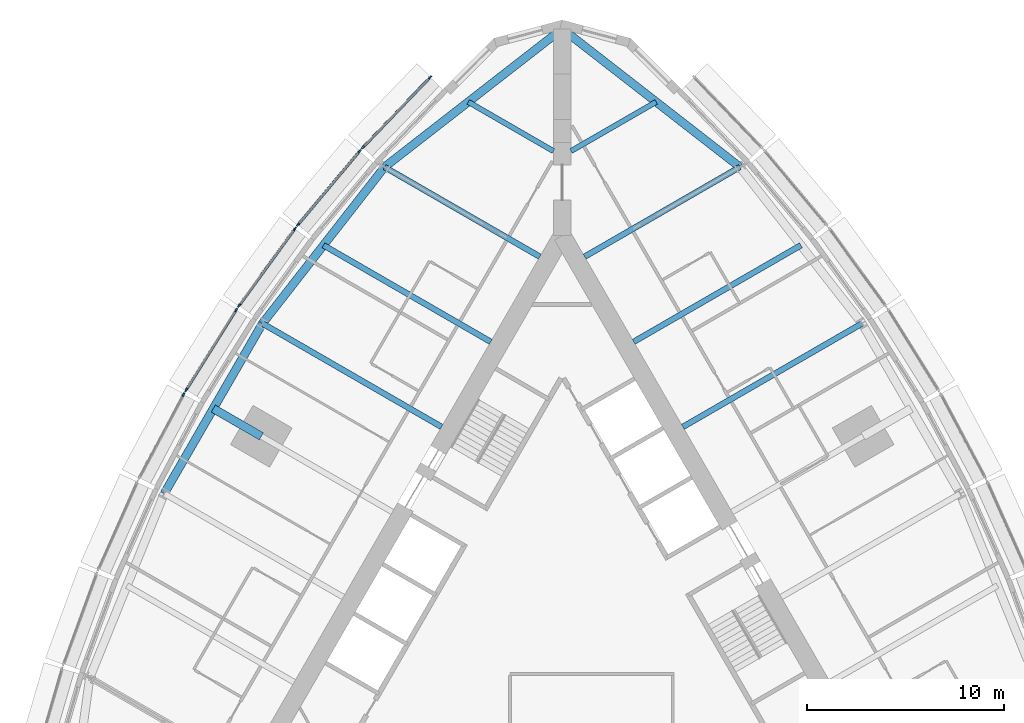
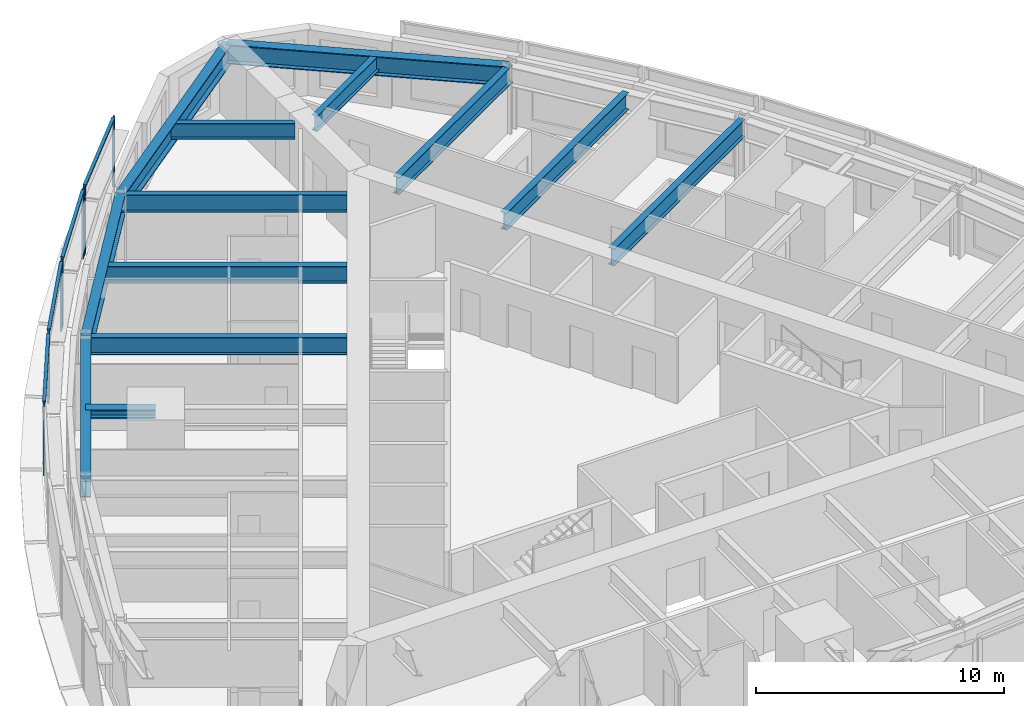
# One storey, part 4 of 14: 13 beams, 13 members, 5 elements without a shape of their own.
"""IFC4 building model written with IfcOpenShell, lengths in metres."""

from ifc_helpers import new_model, si_unit, direction, frame, origin, origin_2d, place, context, subcontext, project, spatial, rectangle, i_section, extrude, material, material_profile, profile_set, type_object, element, aggregate, save


model = new_model("IFC4")

# Units and contexts
model_context = context("Model", 3, precision=1e-05, world=origin(), true_north=direction((0.0, 1.0)))
body_context = subcontext(model_context, "Body", "Model", "MODEL_VIEW")
ifc_project = project(units=[si_unit("LENGTHUNIT", "METRE"), si_unit("AREAUNIT", "SQUARE_METRE"), si_unit("VOLUMEUNIT", "CUBIC_METRE"), si_unit("PLANEANGLEUNIT", "RADIAN"), si_unit("MASSUNIT", "GRAM", prefix="KILO")], contexts=[model_context])

# Site, building, storey
site_placement = place(None, origin())
site = spatial("IfcSite", under=ifc_project, at=site_placement, CompositionType="ELEMENT")
building_placement = place(site_placement, origin())
building = spatial("IfcBuilding", under=site, at=building_placement, Name="Trikona Tower", CompositionType="ELEMENT")
storey_placement = place(building_placement, frame((0.0, 0.0, 172.5)))
storey = spatial("IfcBuildingStorey", under=building, at=storey_placement, Name="L46", CompositionType="ELEMENT", Elevation=172.5)

# Curtain wall, members
ifc_material_1 = material(Name="Aluminium curtain wall system", Category="aluminium")
curtain_wall_type = type_object("IfcCurtainWallType", Name="Curtain wall DS2", PredefinedType="NOTDEFINED", material=ifc_material_1)
curtain_wall_1_placement = place(storey_placement, origin())
curtain_wall_1 = element("IfcCurtainWall", 1, at=curtain_wall_1_placement, inside=storey, type_object=curtain_wall_type, Name="Curtain wall DS2 L46", PredefinedType="NOTDEFINED")
ifc_material_2 = material(Name="Aluminium mullion, pale anodised", Category="aluminium")
ifc_material_profile_1 = material_profile(ifc_material_2, rectangle(XDim=0.080078125, YDim=0.199951171875, at=origin_2d()), Name="MUL-DS2")
ifc_profile_set_1 = profile_set([ifc_material_profile_1], Name="Aluminium mullion, pale anodised")
member_type_1 = type_object("IfcMemberType", Name="Mullion DS2 80x200", PredefinedType="MULLION", material=ifc_profile_set_1)
member_1_placement = place(storey_placement, frame((-6.718994140625, 27.1083984375, 0.0), z_axis=(0.0, 0.0, 1.0), x_axis=(0.722158330767, -0.691727797117, 0.0)))
member_1 = element("IfcMember", 2, at=member_1_placement, type_object=member_type_1, Name="CW-DS2 mullion 1", PredefinedType="MULLION", context=body_context, shape_type="SweptSolid", body=[
    extrude(rectangle(XDim=0.080078125, YDim=0.199951171875, at=origin_2d()), origin(), (0.0, 0.0, 1.0), 3.39990234375),
])
member_2_placement = place(storey_placement, frame((-10.1416015625, 23.535400390625, 0.0), z_axis=(0.0, 0.0, 1.0), x_axis=(0.722158330767, -0.691727797117, 0.0)))
member_2 = element("IfcMember", 3, at=member_2_placement, type_object=member_type_1, Name="CW-DS2 mullion 2", PredefinedType="MULLION", context=body_context, shape_type="SweptSolid", body=[
    extrude(rectangle(XDim=0.080078125, YDim=0.199951171875, at=origin_2d()), origin(), (0.0, 0.0, 1.0), 3.39990234375),
])

curtain_wall_2_placement = place(storey_placement, origin())
curtain_wall_2 = element("IfcCurtainWall", 4, at=curtain_wall_2_placement, inside=storey, type_object=curtain_wall_type, Name="Curtain wall DS2 L46", PredefinedType="NOTDEFINED")
member_3_placement = place(storey_placement, frame((-10.315185546875, 23.34130859375, 0.0), z_axis=(0.0, 0.0, 1.0), x_axis=(0.766866678271, -0.641806433248, 0.0)))
member_3 = element("IfcMember", 5, at=member_3_placement, type_object=member_type_1, Name="CW-DS2 mullion 1", PredefinedType="MULLION", context=body_context, shape_type="SweptSolid", body=[
    extrude(rectangle(XDim=0.080078125, YDim=0.199951171875, at=origin_2d()), origin(), (0.0, 0.0, 1.0), 3.39990234375),
])
member_4_placement = place(storey_placement, frame((-13.44482421875, 19.602294921875, 0.0), z_axis=(0.0, 0.0, 1.0), x_axis=(0.766866678271, -0.641806433248, 0.0)))
member_4 = element("IfcMember", 6, at=member_4_placement, type_object=member_type_1, Name="CW-DS2 mullion 2", PredefinedType="MULLION", context=body_context, shape_type="SweptSolid", body=[
    extrude(rectangle(XDim=0.080078125, YDim=0.199951171875, at=origin_2d()), origin(), (0.0, 0.0, 1.0), 3.39990234375),
])

curtain_wall_3_placement = place(storey_placement, origin())
curtain_wall_3 = element("IfcCurtainWall", 7, at=curtain_wall_3_placement, inside=storey, type_object=curtain_wall_type, Name="Curtain wall DS2 L46", PredefinedType="NOTDEFINED")
member_5_placement = place(storey_placement, frame((-13.605712890625, 19.39599609375, 0.0), z_axis=(0.0, 0.0, 1.0), x_axis=(0.80908576332, -0.587690588313, 0.0)))
member_5 = element("IfcMember", 8, at=member_5_placement, type_object=member_type_1, Name="CW-DS2 mullion 1", PredefinedType="MULLION", context=body_context, shape_type="SweptSolid", body=[
    extrude(rectangle(XDim=0.080078125, YDim=0.199951171875, at=origin_2d()), origin(), (0.0, 0.0, 1.0), 3.39990234375),
])
member_6_placement = place(storey_placement, frame((-16.442626953125, 15.489990234375, 0.0), z_axis=(0.0, 0.0, 1.0), x_axis=(0.80908576332, -0.587690588313, 0.0)))
member_6 = element("IfcMember", 9, at=member_6_placement, type_object=member_type_1, Name="CW-DS2 mullion 2", PredefinedType="MULLION", context=body_context, shape_type="SweptSolid", body=[
    extrude(rectangle(XDim=0.080078125, YDim=0.199951171875, at=origin_2d()), origin(), (0.0, 0.0, 1.0), 3.39990234375),
])

curtain_wall_4_placement = place(storey_placement, origin())
curtain_wall_4 = element("IfcCurtainWall", 10, at=curtain_wall_4_placement, inside=storey, type_object=curtain_wall_type, Name="Curtain wall DS2 L46", PredefinedType="NOTDEFINED")
member_7_placement = place(storey_placement, frame((-16.589599609375, 15.2724609375, 0.0), z_axis=(0.0, 0.0, 1.0), x_axis=(0.847998304006, -0.529998940002, 0.0)))
member_7 = element("IfcMember", 11, at=member_7_placement, type_object=member_type_1, Name="CW-DS2 mullion 1", PredefinedType="MULLION", context=body_context, shape_type="SweptSolid", body=[
    extrude(rectangle(XDim=0.080078125, YDim=0.199951171875, at=origin_2d()), origin(), (0.0, 0.0, 1.0), 3.39990234375),
])
member_8_placement = place(storey_placement, frame((-19.135009765625, 11.199462890625, 0.0), z_axis=(0.0, 0.0, 1.0), x_axis=(0.847998304006, -0.529998940002, 0.0)))
member_8 = element("IfcMember", 12, at=member_8_placement, type_object=member_type_1, Name="CW-DS2 mullion 2", PredefinedType="MULLION", context=body_context, shape_type="SweptSolid", body=[
    extrude(rectangle(XDim=0.080078125, YDim=0.199951171875, at=origin_2d()), origin(), (0.0, 0.0, 1.0), 3.39990234375),
])

# Curtain wall, member
curtain_wall_5_placement = place(storey_placement, origin())
curtain_wall_5 = element("IfcCurtainWall", 13, at=curtain_wall_5_placement, inside=storey, type_object=curtain_wall_type, Name="Curtain wall DS2 L46", PredefinedType="NOTDEFINED")
member_9_placement = place(storey_placement, frame((-19.2666015625, 10.9716796875, 0.0), z_axis=(0.0, 0.0, 1.0), x_axis=(0.882996107343, -0.469380308937, 0.0)))
member_9 = element("IfcMember", 14, at=member_9_placement, type_object=member_type_1, Name="CW-DS2 mullion 1", PredefinedType="MULLION", context=body_context, shape_type="SweptSolid", body=[
    extrude(rectangle(XDim=0.080078125, YDim=0.199951171875, at=origin_2d()), origin(), (0.0, 0.0, 1.0), 3.39990234375),
])
aggregate(curtain_wall_5, [member_9])

# Beams
ifc_material_3 = material(Name="Steel ASTM A992 Grade 50", Category="steel")
ifc_material_profile_2 = material_profile(ifc_material_3, i_section(OverallWidth=0.419189453125, OverallDepth=0.45458984375, WebThickness=0.042236328125, FlangeThickness=0.067626953125, at=origin_2d()), Name="W14X370")
ifc_profile_set_2 = profile_set([ifc_material_profile_2], Name="Steel ASTM A992 Grade 50")
beam_type_1 = type_object("IfcBeamType", Name="Steel beam W14x370 (apex bracket)", PredefinedType="BEAM", material=ifc_profile_set_2)
beam_1_placement = place(storey_placement, frame((-15.311767578125, 8.84033203125, 3.0078125), z_axis=(-0.86605005072, 0.499957307824, 0.0), x_axis=(-0.499957307824, -0.86605005072, 0.0)))
element("IfcBeam", 15, at=beam_1_placement, inside=storey, type_object=beam_type_1, Name="Cantilever bracket L47 F3", PredefinedType="BEAM", context=body_context, shape_type="SweptSolid", body=[
    extrude(i_section(OverallWidth=0.419189453125, OverallDepth=0.45458984375, WebThickness=0.042236328125, FlangeThickness=0.067626953125, at=origin_2d()), origin(), (0.0, 0.0, 1.0), 2.819580078125),
])
ifc_material_4 = material(Name="Steel ASTM A992 Grade 50", Category="steel")
ifc_material_profile_3 = material_profile(ifc_material_4, i_section(OverallWidth=0.2666015625, OverallDepth=0.76953125, WebThickness=0.015625, FlangeThickness=0.025390625, at=origin_2d()), Name="W30X132")
ifc_profile_set_3 = profile_set([ifc_material_profile_3], Name="Steel ASTM A992 Grade 50")
beam_type_2 = type_object("IfcBeamType", Name="Steel beam W30x132 (wedge)", PredefinedType="BEAM", material=ifc_profile_set_3)
for number, where, z_axis, x_axis, name in (
    (16, (0.449951171875, 23.353759765625, 2.85009765625), (0.866038434829, 0.49997742889, 0.0), (-0.49997742889, 0.866038434829, 0.0), "Floor beam L47 F2 u20"),
    (17, (-0.449951171875, 23.353759765625, 2.85009765625), (-0.866038434829, 0.49997742889, 0.0), (-0.49997742889, -0.866038434829, 0.0), "Floor beam L47 F3 u-20"),
):
    element("IfcBeam", number, at=place(storey_placement, frame(where, z_axis=z_axis, x_axis=x_axis)), inside=storey, type_object=beam_type_2, Name=name, PredefinedType="BEAM", context=body_context, shape_type="SweptSolid", body=[
        extrude(i_section(OverallWidth=0.2666015625, OverallDepth=0.76953125, WebThickness=0.015625, FlangeThickness=0.025390625, at=origin_2d()), origin(), (0.0, 0.0, 1.0), 5.000732421875),
    ])
ifc_material_5 = material(Name="Steel ASTM A992 Grade 50", Category="steel")
ifc_material_profile_4 = material_profile(ifc_material_5, i_section(OverallWidth=0.2919921875, OverallDepth=0.845703125, WebThickness=0.015380859375, FlangeThickness=0.0244140625, at=origin_2d()), Name="W33X141")
ifc_profile_set_4 = profile_set([ifc_material_profile_4], Name="Steel ASTM A992 Grade 50")
beam_type_3 = type_object("IfcBeamType", Name="Steel beam W33x141 (radial typ)", PredefinedType="BEAM", material=ifc_profile_set_4)
beam_2_placement = place(storey_placement, frame((6.1396484375, 9.318359375, 2.81201171875), z_axis=(0.866036080828, 0.499981506362, 0.0), x_axis=(-0.499981506362, 0.866036080828, 0.0)))
element("IfcBeam", 18, at=beam_2_placement, inside=storey, type_object=beam_type_3, Name="Floor beam L47 F2 u5", PredefinedType="BEAM", context=body_context, shape_type="SweptSolid", body=[
    extrude(i_section(OverallWidth=0.2919921875, OverallDepth=0.845703125, WebThickness=0.015380859375, FlangeThickness=0.0244140625, at=origin_2d()), origin(), (0.0, 0.0, 1.0), 10.52392578125),
])
beam_3_placement = place(storey_placement, frame((3.6396484375, 13.6484375, 2.81201171875), z_axis=(0.866030807744, 0.499990639951, 0.0), x_axis=(-0.499990639951, 0.866030807744, 0.0)))
element("IfcBeam", 19, at=beam_3_placement, inside=storey, type_object=beam_type_3, Name="Floor beam L47 F2 u10", PredefinedType="BEAM", context=body_context, shape_type="SweptSolid", body=[
    extrude(i_section(OverallWidth=0.2919921875, OverallDepth=0.845703125, WebThickness=0.015380859375, FlangeThickness=0.0244140625, at=origin_2d()), origin(), (0.0, 0.0, 1.0), 9.823974609375),
])
for number, where, z_axis, x_axis, name in (
    (20, (1.1396484375, 17.978515625, 2.81201171875), (0.866024725532, 0.500001174766, 0.0), (-0.500001174766, 0.866024725532, 0.0), "Floor beam L47 F2 u15"),
    (21, (-1.1396484375, 17.978515625, 2.81201171875), (-0.866024725532, 0.500001174766, 0.0), (-0.500001174766, -0.866024725532, 0.0), "Floor beam L47 F3 u-15"),
):
    element("IfcBeam", number, at=place(storey_placement, frame(where, z_axis=z_axis, x_axis=x_axis)), inside=storey, type_object=beam_type_3, Name=name, PredefinedType="BEAM", context=body_context, shape_type="SweptSolid", body=[
        extrude(i_section(OverallWidth=0.2919921875, OverallDepth=0.845703125, WebThickness=0.015380859375, FlangeThickness=0.0244140625, at=origin_2d()), origin(), (0.0, 0.0, 1.0), 9.1240234375),
    ])
beam_4_placement = place(storey_placement, frame((-3.6396484375, 13.6484375, 2.81201171875), z_axis=(-0.866030807744, 0.499990639951, 0.0), x_axis=(-0.499990639951, -0.866030807744, 0.0)))
element("IfcBeam", 22, at=beam_4_placement, inside=storey, type_object=beam_type_3, Name="Floor beam L47 F3 u-10", PredefinedType="BEAM", context=body_context, shape_type="SweptSolid", body=[
    extrude(i_section(OverallWidth=0.2919921875, OverallDepth=0.845703125, WebThickness=0.015380859375, FlangeThickness=0.0244140625, at=origin_2d()), origin(), (0.0, 0.0, 1.0), 9.823974609375),
])
beam_5_placement = place(storey_placement, frame((-6.1396484375, 9.318359375, 2.81201171875), z_axis=(-0.866036080828, 0.499981506362, 0.0), x_axis=(-0.499981506362, -0.866036080828, 0.0)))
element("IfcBeam", 23, at=beam_5_placement, inside=storey, type_object=beam_type_3, Name="Floor beam L47 F3 u-5", PredefinedType="BEAM", context=body_context, shape_type="SweptSolid", body=[
    extrude(i_section(OverallWidth=0.2919921875, OverallDepth=0.845703125, WebThickness=0.015380859375, FlangeThickness=0.0244140625, at=origin_2d()), origin(), (0.0, 0.0, 1.0), 10.52392578125),
])
ifc_material_6 = material(Name="Steel ASTM A992 Grade 50", Category="steel")
ifc_material_profile_5 = material_profile(ifc_material_6, i_section(OverallWidth=0.424072265625, OverallDepth=0.947509765625, WebThickness=0.02392578125, FlangeThickness=0.042724609375, at=origin_2d()), Name="W36X302")
ifc_profile_set_5 = profile_set([ifc_material_profile_5], Name="Steel ASTM A992 Grade 50")
beam_type_4 = type_object("IfcBeamType", Name="Steel beam W36x302 (spandrel)", PredefinedType="SPANDREL", material=ifc_profile_set_5)
for number, where, z_axis, x_axis, name in (
    (24, (9.041259765625, 22.54052734375, 2.76123046875), (-0.789367137808, 0.613921429621, 0.0), (-0.613921429621, -0.789367137808, 0.0), "Spandrel beam L47 F2-5"),
    (25, (0.0, 29.572265625, 2.76123046875), (-0.789367137808, -0.613921429621, 0.0), (0.613921429621, -0.789367137808, 0.0), "Spandrel beam L47 F3-1"),
):
    element("IfcBeam", number, at=place(storey_placement, frame(where, z_axis=z_axis, x_axis=x_axis)), inside=storey, type_object=beam_type_4, Name=name, PredefinedType="SPANDREL", context=body_context, shape_type="SweptSolid", body=[
        extrude(i_section(OverallWidth=0.424072265625, OverallDepth=0.947509765625, WebThickness=0.02392578125, FlangeThickness=0.042724609375, at=origin_2d()), origin(), (0.0, 0.0, 1.0), 11.453857421875),
    ])
beam_6_placement = place(storey_placement, frame((-9.041259765625, 22.54052734375, 2.76123046875), z_axis=(-0.615232009054, -0.788346101046, 0.0), x_axis=(0.788346101046, -0.615232009054, 0.0)))
element("IfcBeam", 26, at=beam_6_placement, inside=storey, type_object=beam_type_4, Name="Spandrel beam L47 F3-2", PredefinedType="SPANDREL", context=body_context, shape_type="SweptSolid", body=[
    extrude(i_section(OverallWidth=0.424072265625, OverallDepth=0.947509765625, WebThickness=0.02392578125, FlangeThickness=0.042724609375, at=origin_2d()), origin(), (0.0, 0.0, 1.0), 10.09765625),
])
beam_7_placement = place(storey_placement, frame((-15.253662109375, 14.580078125, 2.76123046875), z_axis=(-0.500004234368, -0.866022959057, 0.0), x_axis=(0.866022959057, -0.500004234368, 0.0)))
element("IfcBeam", 27, at=beam_7_placement, inside=storey, type_object=beam_type_4, Name="Spandrel beam L47 F3-3", PredefinedType="SPANDREL", context=body_context, shape_type="SweptSolid", body=[
    extrude(i_section(OverallWidth=0.424072265625, OverallDepth=0.947509765625, WebThickness=0.02392578125, FlangeThickness=0.042724609375, at=origin_2d()), origin(), (0.0, 0.0, 1.0), 10.0),
])

# Member
ifc_material_7 = material(Name="Aluminium transom, pale anodised", Category="aluminium")
ifc_material_profile_6 = material_profile(ifc_material_7, rectangle(XDim=0.139892578125, YDim=0.080078125, at=origin_2d()), Name="TRN-DS2")
ifc_profile_set_6 = profile_set([ifc_material_profile_6], Name="Aluminium transom, pale anodised")
member_type_2 = type_object("IfcMemberType", Name="Transom DS2 80x140", PredefinedType="USERDEFINED", material=ifc_profile_set_6)
member_10_placement = place(storey_placement, frame((-6.746826171875, 27.07958984375, 3.360107421875), z_axis=(-0.691721246785, -0.722164605022, 0.0), x_axis=(0.722164605022, -0.691721246785, 0.0)))
member_10 = element("IfcMember", 28, at=member_10_placement, type_object=member_type_2, Name="CW-DS2 transom 1.1", ObjectType="TRANSOM", PredefinedType="USERDEFINED", context=body_context, shape_type="SweptSolid", body=[
    extrude(rectangle(XDim=0.139892578125, YDim=0.080078125, at=origin_2d()), origin(), (0.0, 0.0, 1.0), 4.867919921875),
])

aggregate(curtain_wall_1, [member_1, member_2, member_10])

member_11_placement = place(storey_placement, frame((-10.341064453125, 23.310791015625, 3.360107421875), z_axis=(-0.641770294892, -0.766896921753, 0.0), x_axis=(0.766896921753, -0.641770294892, 0.0)))
member_11 = element("IfcMember", 29, at=member_11_placement, type_object=member_type_2, Name="CW-DS2 transom 1.1", ObjectType="TRANSOM", PredefinedType="USERDEFINED", context=body_context, shape_type="SweptSolid", body=[
    extrude(rectangle(XDim=0.139892578125, YDim=0.080078125, at=origin_2d()), origin(), (0.0, 0.0, 1.0), 4.7958984375),
])

aggregate(curtain_wall_2, [member_3, member_4, member_11])

member_12_placement = place(storey_placement, frame((-13.629150390625, 19.363525390625, 3.360107421875), z_axis=(-0.587694585883, -0.809082859616, 0.0), x_axis=(0.809082859616, -0.587694585883, 0.0)))
member_12 = element("IfcMember", 30, at=member_12_placement, type_object=member_type_2, Name="CW-DS2 transom 1.1", ObjectType="TRANSOM", PredefinedType="USERDEFINED", context=body_context, shape_type="SweptSolid", body=[
    extrude(rectangle(XDim=0.139892578125, YDim=0.080078125, at=origin_2d()), origin(), (0.0, 0.0, 1.0), 4.747314453125),
])

aggregate(curtain_wall_3, [member_5, member_6, member_12])

member_13_placement = place(storey_placement, frame((-16.610595703125, 15.238525390625, 3.360107421875), z_axis=(-0.530031463794, -0.847977975769, 0.0), x_axis=(0.847977975769, -0.530031463794, 0.0)))
member_13 = element("IfcMember", 31, at=member_13_placement, type_object=member_type_2, Name="CW-DS2 transom 1.1", ObjectType="TRANSOM", PredefinedType="USERDEFINED", context=body_context, shape_type="SweptSolid", body=[
    extrude(rectangle(XDim=0.139892578125, YDim=0.080078125, at=origin_2d()), origin(), (0.0, 0.0, 1.0), 4.72314453125),
])

aggregate(curtain_wall_4, [member_7, member_8, member_13])

save(model, "model.ifc")
